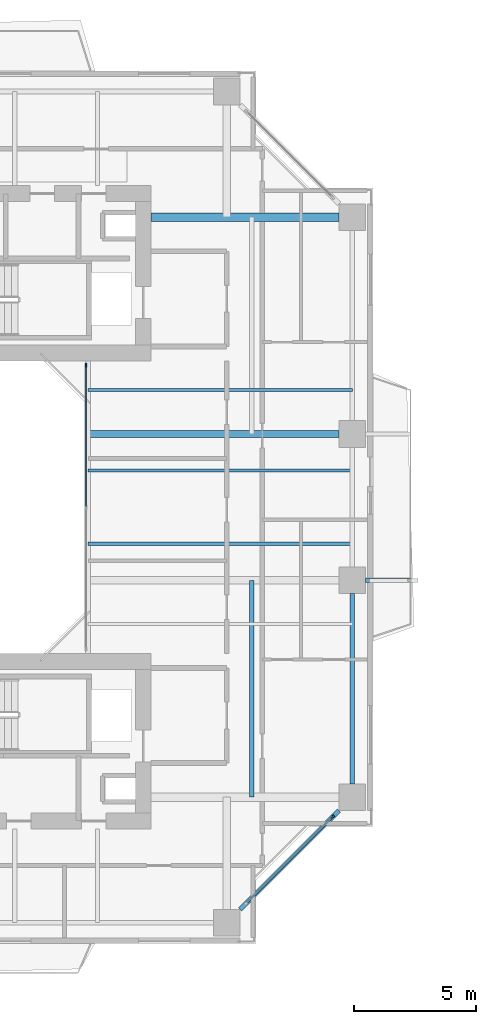
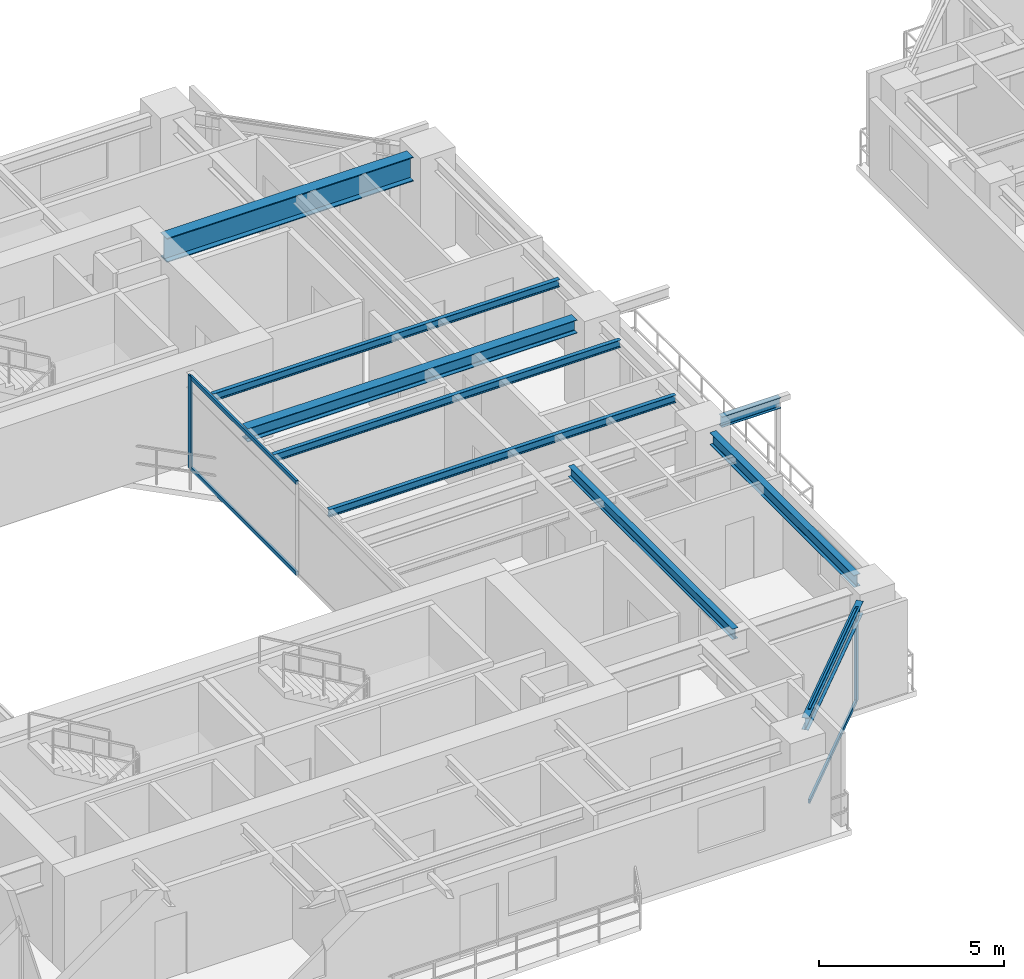
# One storey, part 6 of 24: 9 beams, 6 members, 2 elements without a shape of their own.
"""IFC4 building model written with IfcOpenShell, lengths in metres."""

from ifc_helpers import new_model, si_unit, direction, frame, origin, origin_2d, place, context, subcontext, project, spatial, rectangle, i_section, extrude, source, transform, mapped, material, layer, layer_set, material_profile, profile_set, type_object, element, aggregate, save


model = new_model("IFC4")

# Units and contexts
model_context = context("Model", 3, precision=1e-05, world=origin(), true_north=direction((0.0, 1.0)))
body_context = subcontext(model_context, "Body", "Model", "MODEL_VIEW")
ifc_project = project(units=[si_unit("LENGTHUNIT", "METRE"), si_unit("AREAUNIT", "SQUARE_METRE"), si_unit("VOLUMEUNIT", "CUBIC_METRE"), si_unit("PLANEANGLEUNIT", "RADIAN"), si_unit("MASSUNIT", "GRAM", prefix="KILO"), si_unit("THERMODYNAMICTEMPERATUREUNIT", "KELVIN"), si_unit("POWERUNIT", "WATT")], contexts=[model_context])

# Site, building, storey
site_placement = place(None, origin())
site = spatial("IfcSite", under=ifc_project, at=site_placement, CompositionType="ELEMENT")
building_placement = place(site_placement, origin())
building = spatial("IfcBuilding", under=site, at=building_placement, Name="Qiaomeng Ring Towers", CompositionType="ELEMENT")
storey_placement = place(building_placement, frame((0.0, 0.0, 106.75)))
storey = spatial("IfcBuildingStorey", under=building, at=storey_placement, Name="L30", CompositionType="ELEMENT", Elevation=106.75)

# Beams
ifc_material_1 = material(Name="Steel Q355B", Category="steel")
ifc_material_profile_1 = material_profile(ifc_material_1, i_section(OverallWidth=0.199951171875, OverallDepth=0.39990234375, WebThickness=0.008056640625, FlangeThickness=0.012939453125, FilletRadius=0.01611328125, at=origin_2d()), Name="HN 400x200x8x13")
ifc_profile_set_1 = profile_set([ifc_material_profile_1], Name="Steel Q355B")
beam_type_1 = type_object("IfcBeamType", Name="STR-BM-HN400", PredefinedType="SPANDREL", material=ifc_profile_set_1)
shared_shape_1 = source(origin(), body_context, "Body", "SweptSolid", [
    extrude(i_section(OverallWidth=0.199951171875, OverallDepth=0.39990234375, WebThickness=0.008056640625, FlangeThickness=0.012939453125, FilletRadius=0.01611328125, at=origin_2d()), origin(), (0.0, 0.0, 1.0), 5.729736328125),
])
beam_1_placement = place(storey_placement, frame((31.44921875, 6.499267578125, 2.8701171875), z_axis=(0.707106781187, 0.707106781187, 0.0), x_axis=(-0.707106781187, 0.707106781187, 0.0)))
element("IfcBeam", 1, at=beam_1_placement, inside=storey, type_object=beam_type_1, Name="L30 beam STR-SP-L30-T1-S2-E1", PredefinedType="SPANDREL", context=body_context, shape_type="MappedRepresentation", body=[
    mapped(shared_shape_1, transform((0.0, 0.0, 0.0), x_axis=(1.0, 0.0, 0.0), y_axis=(0.0, 1.0, 0.0), z_axis=(0.0, 0.0, 1.0), scale=1.0)),
])
shared_shape_2 = source(origin(), body_context, "Body", "SweptSolid", [
    extrude(i_section(OverallWidth=0.199951171875, OverallDepth=0.39990234375, WebThickness=0.008056640625, FlangeThickness=0.012939453125, FilletRadius=0.01611328125, at=origin_2d()), origin(), (0.0, 0.0, 1.0), 7.802001953125),
])
beam_2_placement = place(storey_placement, frame((36.050048828125, 11.64892578125, 2.8701171875), z_axis=(0.0, 1.0, 0.0), x_axis=(-1.0, 0.0, 0.0)))
element("IfcBeam", 2, at=beam_2_placement, inside=storey, type_object=beam_type_1, Name="L30 beam STR-SP-L30-T1-E1-E2", PredefinedType="SPANDREL", context=body_context, shape_type="MappedRepresentation", body=[
    mapped(shared_shape_2, transform((0.0, 0.0, 0.0), x_axis=(1.0, 0.0, 0.0), y_axis=(0.0, 1.0, 0.0), z_axis=(0.0, 0.0, 1.0), scale=1.0)),
])
ifc_material_2 = material(Name="Steel Q390GJC", Category="steel")
ifc_material_profile_2 = material_profile(ifc_material_2, i_section(OverallWidth=0.35009765625, OverallDepth=0.800048828125, WebThickness=0.01611328125, FlangeThickness=0.028076171875, at=origin_2d()), Name="WH 800x350x16x28")
ifc_profile_set_2 = profile_set([ifc_material_profile_2], Name="Steel Q390GJC")
beam_type_2 = type_object("IfcBeamType", Name="STR-BM-WH800", PredefinedType="BEAM", material=ifc_profile_set_2)
shared_shape_3 = source(origin(), body_context, "Body", "SweptSolid", [
    extrude(i_section(OverallWidth=0.35009765625, OverallDepth=0.800048828125, WebThickness=0.01611328125, FlangeThickness=0.028076171875, at=origin_2d()), origin(), (0.0, 0.0, 1.0), 7.700927734375),
])
beam_3_placement = place(storey_placement, frame((27.800048828125, 34.89990234375, 2.669921875), z_axis=(1.0, 0.0, 0.0), x_axis=(0.0, 1.0, 0.0)))
element("IfcBeam", 3, at=beam_3_placement, inside=storey, type_object=beam_type_2, Name="L30 beam STR-BM-L30-T1-RAD-E4", PredefinedType="BEAM", context=body_context, shape_type="MappedRepresentation", body=[
    mapped(shared_shape_3, transform((0.0, 0.0, 0.0), x_axis=(1.0, 0.0, 0.0), y_axis=(0.0, 1.0, 0.0), z_axis=(0.0, 0.0, 1.0), scale=1.0)),
])
ifc_material_profile_3 = material_profile(ifc_material_1, i_section(OverallWidth=0.300048828125, OverallDepth=0.43994140625, WebThickness=0.010986328125, FlangeThickness=0.01806640625, FilletRadius=0.02392578125, at=origin_2d()), Name="HM 440x300x11x18")
ifc_profile_set_3 = profile_set([ifc_material_profile_3], Name="Steel Q355B")
beam_type_3 = type_object("IfcBeamType", Name="STR-BM-HM440", PredefinedType="BEAM", material=ifc_profile_set_3)
shared_shape_4 = source(origin(), body_context, "Body", "SweptSolid", [
    extrude(i_section(OverallWidth=0.300048828125, OverallDepth=0.43994140625, WebThickness=0.010986328125, FlangeThickness=0.01806640625, FilletRadius=0.02392578125, at=origin_2d()), origin(), (0.0, 0.0, 1.0), 10.301025390625),
])
beam_4_placement = place(storey_placement, frame((25.199951171875, 26.0, 2.85009765625), z_axis=(1.0, 0.0, 0.0), x_axis=(0.0, 1.0, 0.0)))
element("IfcBeam", 4, at=beam_4_placement, inside=storey, type_object=beam_type_3, Name="L30 beam STR-BM-L30-T1-RAD-E3", PredefinedType="BEAM", context=body_context, shape_type="MappedRepresentation", body=[
    mapped(shared_shape_4, transform((0.0, 0.0, 0.0), x_axis=(1.0, 0.0, 0.0), y_axis=(0.0, 1.0, 0.0), z_axis=(0.0, 0.0, 1.0), scale=1.0)),
])
ifc_material_profile_4 = material_profile(ifc_material_1, i_section(OverallWidth=0.175048828125, OverallDepth=0.35009765625, WebThickness=0.007080078125, FlangeThickness=0.010986328125, FilletRadius=0.013916015625, at=origin_2d()), Name="HN 350x175x7x11")
ifc_profile_set_4 = profile_set([ifc_material_profile_4], Name="Steel Q355B")
beam_type_4 = type_object("IfcBeamType", Name="STR-BM-HN350", PredefinedType="JOIST", material=ifc_profile_set_4)
shared_shape_5 = source(origin(), body_context, "Body", "SweptSolid", [
    extrude(i_section(OverallWidth=0.175048828125, OverallDepth=0.35009765625, WebThickness=0.007080078125, FlangeThickness=0.010986328125, FilletRadius=0.013916015625, at=origin_2d()), origin(), (0.0, 0.0, 1.0), 1.8408203125),
])
beam_5_placement = place(storey_placement, frame((36.59912109375, 20.0, 2.89501953125), z_axis=(1.0, 0.0, 0.0), x_axis=(0.0, 1.0, 0.0)))
element("IfcBeam", 5, at=beam_5_placement, inside=storey, type_object=beam_type_4, Name="L30 beam STR-BALBM-L30-E2", PredefinedType="JOIST", context=body_context, shape_type="MappedRepresentation", body=[
    mapped(shared_shape_5, transform((0.0, 0.0, 0.0), x_axis=(1.0, 0.0, 0.0), y_axis=(0.0, 1.0, 0.0), z_axis=(0.0, 0.0, 1.0), scale=1.0)),
])
ifc_material_profile_5 = material_profile(ifc_material_1, i_section(OverallWidth=0.125, OverallDepth=0.25, WebThickness=0.006103515625, FlangeThickness=0.009033203125, FilletRadius=0.011962890625, at=origin_2d()), Name="HN 250x125x6x9")
ifc_profile_set_5 = profile_set([ifc_material_profile_5], Name="Steel Q355B")
beam_type_5 = type_object("IfcBeamType", Name="STR-BM-HN250", PredefinedType="JOIST", material=ifc_profile_set_5)
shared_shape_6 = source(origin(), body_context, "Body", "SweptSolid", [
    extrude(i_section(OverallWidth=0.125, OverallDepth=0.25, WebThickness=0.006103515625, FlangeThickness=0.009033203125, FilletRadius=0.011962890625, at=origin_2d()), origin(), (0.0, 0.0, 1.0), 10.85009765625),
])
for number, where, z_axis, x_axis, name in (
    (6, (25.199951171875, 21.5, 2.945068359375), (1.0, 0.0, 0.0), (0.0, 1.0, 0.0), "L30 beam STR-JST-L30-T1E-2"),
    (7, (25.199951171875, 24.5, 2.945068359375), (1.0, 0.0, 0.0), (0.0, 1.0, 0.0), "L30 beam STR-JST-L30-T1E-3"),
    (8, (25.199951171875, 27.800048828125, 2.945068359375), (1.0, 0.0, 0.0), (0.0, 1.0, 0.0), "L30 beam STR-JST-L30-T1E-4"),
):
    element("IfcBeam", number, at=place(storey_placement, frame(where, z_axis=z_axis, x_axis=x_axis)), inside=storey, type_object=beam_type_5, Name=name, PredefinedType="JOIST", context=body_context, shape_type="MappedRepresentation", body=[
        mapped(shared_shape_6, transform((0.0, 0.0, 0.0), x_axis=(1.0, 0.0, 0.0), y_axis=(0.0, 1.0, 0.0), z_axis=(0.0, 0.0, 1.0), scale=1.0)),
    ])
shared_shape_7 = source(origin(), body_context, "Body", "SweptSolid", [
    extrude(i_section(OverallWidth=0.175048828125, OverallDepth=0.35009765625, WebThickness=0.007080078125, FlangeThickness=0.010986328125, FilletRadius=0.013916015625, at=origin_2d()), origin(), (0.0, 0.0, 1.0), 8.89990234375),
])
beam_6_placement = place(storey_placement, frame((31.925048828125, 11.10009765625, 2.89501953125), z_axis=(0.0, 1.0, 0.0), x_axis=(-1.0, 0.0, 0.0)))
element("IfcBeam", 9, at=beam_6_placement, inside=storey, type_object=beam_type_4, Name="L30 beam STR-JST-L30-T1C-ES", PredefinedType="JOIST", context=body_context, shape_type="MappedRepresentation", body=[
    mapped(shared_shape_7, transform((0.0, 0.0, 0.0), x_axis=(1.0, 0.0, 0.0), y_axis=(0.0, 1.0, 0.0), z_axis=(0.0, 0.0, 1.0), scale=1.0)),
])

# Curtain wall, members
ifc_material_3 = material(Name="Fluorocarbon dark-grey aluminium", Category="aluminium")
ifc_layer_1 = layer(ifc_material_3, 0.139892578125, Name="Fluorocarbon dark-grey aluminium")
ifc_layer_set_1 = layer_set([ifc_layer_1], Name="Fluorocarbon dark-grey aluminium")
curtain_wall_type_1 = type_object("IfcCurtainWallType", Name="ARC-CW-4", PredefinedType="NOTDEFINED", material=ifc_layer_set_1)
curtain_wall_1_placement = place(storey_placement, origin())
curtain_wall_1 = element("IfcCurtainWall", 10, at=curtain_wall_1_placement, inside=storey, type_object=curtain_wall_type_1, Name="L30 Curtain Wall CW4", PredefinedType="NOTDEFINED")
ifc_material_profile_6 = material_profile(ifc_material_3, rectangle(XDim=0.06494140625, YDim=0.159912109375, at=origin_2d()), Name="ALU MULL 65x160")
ifc_profile_set_6 = profile_set([ifc_material_profile_6], Name="Fluorocarbon dark-grey aluminium")
member_type_1 = type_object("IfcMemberType", Name="ARC-CWM-140", PredefinedType="MULLION", material=ifc_profile_set_6)
shared_shape_8 = source(origin(), body_context, "Body", "SweptSolid", [
    extrude(rectangle(XDim=0.06494140625, YDim=0.159912109375, at=origin_2d()), origin(), (0.0, 0.0, 1.0), 3.070068359375),
])
member_1_placement = place(storey_placement, frame((25.1201171875, 28.8173828125, 0.0), z_axis=(0.0, 0.0, 1.0), x_axis=(-1.0, 0.0, 0.0)))
member_1 = element("IfcMember", 11, at=member_1_placement, type_object=member_type_1, Name="CW4 mullion 3", PredefinedType="MULLION", context=body_context, shape_type="MappedRepresentation", body=[
    mapped(shared_shape_8, transform((0.0, 0.0, 0.0), x_axis=(1.0, 0.0, 0.0), y_axis=(0.0, 1.0, 0.0), z_axis=(0.0, 0.0, 1.0), scale=1.0)),
])
ifc_material_profile_7 = material_profile(ifc_material_3, rectangle(XDim=0.06494140625, YDim=0.1298828125, at=origin_2d()), Name="ALU TRAN 65x130")
ifc_profile_set_7 = profile_set([ifc_material_profile_7], Name="Fluorocarbon dark-grey aluminium")
member_type_2 = type_object("IfcMemberType", Name="ARC-CWT-120", PredefinedType="USERDEFINED", material=ifc_profile_set_7)
shared_shape_9 = source(origin(), body_context, "Body", "SweptSolid", [
    extrude(rectangle(XDim=0.06494140625, YDim=0.1298828125, at=origin_2d()), origin(), (0.0, 0.0, 1.0), 5.75244140625),
])
member_2_placement = place(storey_placement, frame((25.1201171875, 23.032470703125, 0.032470703125), z_axis=(0.0, 1.0, 0.0), x_axis=(-1.0, 0.0, 0.0)))
member_2 = element("IfcMember", 12, at=member_2_placement, type_object=member_type_2, Name="CW4 transom 2.1", ObjectType="TRANSOM", PredefinedType="USERDEFINED", context=body_context, shape_type="MappedRepresentation", body=[
    mapped(shared_shape_9, transform((0.0, 0.0, 0.0), x_axis=(1.0, 0.0, 0.0), y_axis=(0.0, 1.0, 0.0), z_axis=(0.0, 0.0, 1.0), scale=1.0)),
])
member_3_placement = place(storey_placement, frame((25.1201171875, 23.032470703125, 3.03759765625), z_axis=(0.0, 1.0, 0.0), x_axis=(-1.0, 0.0, 0.0)))
member_3 = element("IfcMember", 13, at=member_3_placement, type_object=member_type_2, Name="CW4 transom 2.2", ObjectType="TRANSOM", PredefinedType="USERDEFINED", context=body_context, shape_type="MappedRepresentation", body=[
    mapped(shared_shape_9, transform((0.0, 0.0, 0.0), x_axis=(1.0, 0.0, 0.0), y_axis=(0.0, 1.0, 0.0), z_axis=(0.0, 0.0, 1.0), scale=1.0)),
])
aggregate(curtain_wall_1, [member_1, member_2, member_3])

ifc_layer_2 = layer(ifc_material_3, 0.14990234375, Name="Fluorocarbon dark-grey aluminium")
ifc_layer_set_2 = layer_set([ifc_layer_2], Name="Fluorocarbon dark-grey aluminium")
curtain_wall_type_2 = type_object("IfcCurtainWallType", Name="ARC-CW-3", PredefinedType="NOTDEFINED", material=ifc_layer_set_2)
curtain_wall_2_placement = place(storey_placement, origin())
curtain_wall_2 = element("IfcCurtainWall", 14, at=curtain_wall_2_placement, inside=storey, type_object=curtain_wall_type_2, Name="L30 Curtain Wall CW3", PredefinedType="NOTDEFINED")
ifc_material_profile_8 = material_profile(ifc_material_3, rectangle(XDim=0.070068359375, YDim=0.179931640625, at=origin_2d()), Name="ALU MULL 70x180")
ifc_profile_set_8 = profile_set([ifc_material_profile_8], Name="Fluorocarbon dark-grey aluminium")
member_type_3 = type_object("IfcMemberType", Name="ARC-CWM-160", PredefinedType="MULLION", material=ifc_profile_set_8)
shared_shape_10 = source(origin(), body_context, "Body", "SweptSolid", [
    extrude(rectangle(XDim=0.070068359375, YDim=0.179931640625, at=origin_2d()), origin(), (0.0, 0.0, 1.0), 3.070068359375),
])
member_4_placement = place(storey_placement, frame((35.2353515625, 10.28515625, 0.0), z_axis=(0.0, 0.0, 1.0), x_axis=(-0.707106781187, 0.707106781187, 0.0)))
member_4 = element("IfcMember", 15, at=member_4_placement, type_object=member_type_3, Name="CW3 mullion 2", PredefinedType="MULLION", context=body_context, shape_type="MappedRepresentation", body=[
    mapped(shared_shape_10, transform((0.0, 0.0, 0.0), x_axis=(1.0, 0.0, 0.0), y_axis=(0.0, 1.0, 0.0), z_axis=(0.0, 0.0, 1.0), scale=1.0)),
])
shared_shape_11 = source(origin(), body_context, "Body", "SweptSolid", [
    extrude(rectangle(XDim=0.06494140625, YDim=0.1298828125, at=origin_2d()), origin(), (0.0, 0.0, 1.0), 4.90869140625),
])
member_5_placement = place(storey_placement, frame((31.739501953125, 6.78955078125, 0.032470703125), z_axis=(0.707106781187, 0.707106781187, 0.0), x_axis=(-0.707106781187, 0.707106781187, 0.0)))
member_5 = element("IfcMember", 16, at=member_5_placement, type_object=member_type_2, Name="CW3 transom 1.1", ObjectType="TRANSOM", PredefinedType="USERDEFINED", context=body_context, shape_type="MappedRepresentation", body=[
    mapped(shared_shape_11, transform((0.0, 0.0, 0.0), x_axis=(1.0, 0.0, 0.0), y_axis=(0.0, 1.0, 0.0), z_axis=(0.0, 0.0, 1.0), scale=1.0)),
])
member_6_placement = place(storey_placement, frame((31.739501953125, 6.78955078125, 3.03759765625), z_axis=(0.707106781187, 0.707106781187, 0.0), x_axis=(-0.707106781187, 0.707106781187, 0.0)))
member_6 = element("IfcMember", 17, at=member_6_placement, type_object=member_type_2, Name="CW3 transom 1.2", ObjectType="TRANSOM", PredefinedType="USERDEFINED", context=body_context, shape_type="MappedRepresentation", body=[
    mapped(shared_shape_11, transform((0.0, 0.0, 0.0), x_axis=(1.0, 0.0, 0.0), y_axis=(0.0, 1.0, 0.0), z_axis=(0.0, 0.0, 1.0), scale=1.0)),
])
aggregate(curtain_wall_2, [member_4, member_5, member_6])

save(model, "model.ifc")
